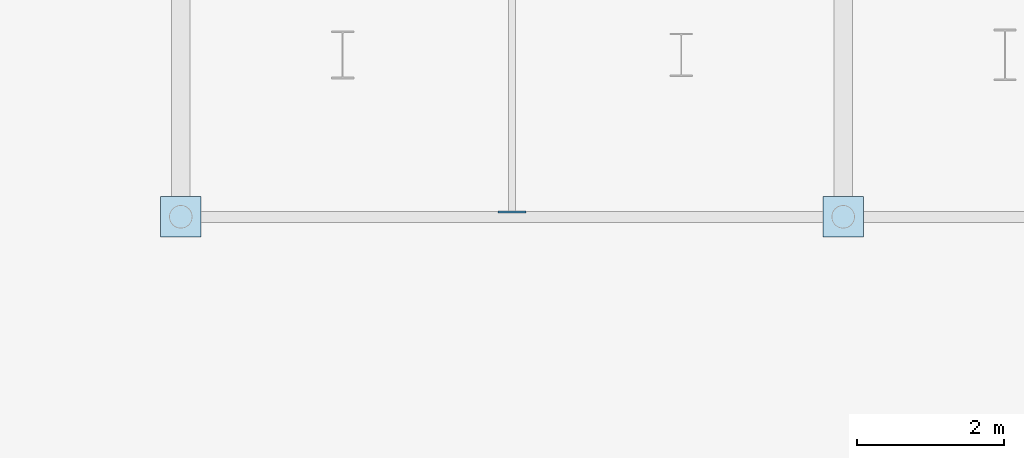
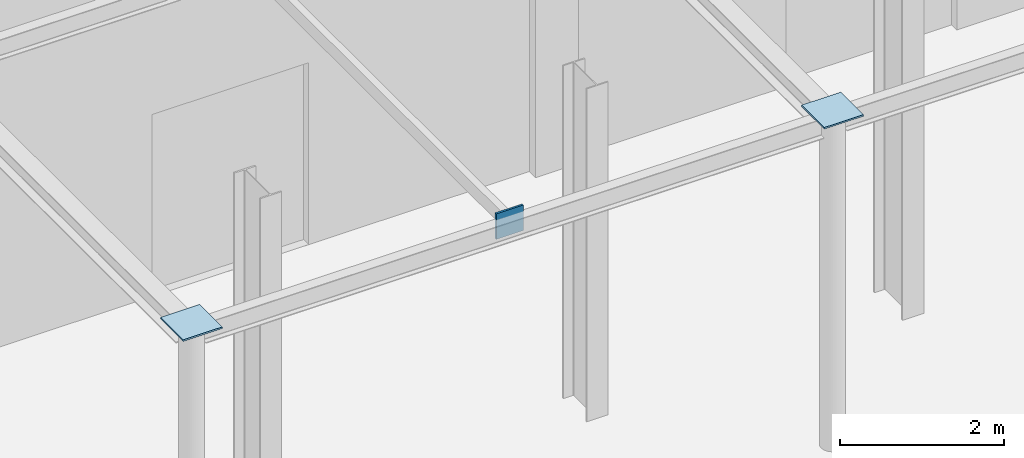
# One storey, part 71 of 123: 3 plates.
"""IFC4 building model written with IfcOpenShell, lengths in metres."""

from ifc_helpers import new_model, si_unit, direction, frame, origin, origin_2d, place, context, subcontext, project, spatial, rectangle, extrude, material, layer, layer_set, type_object, element, save


model = new_model("IFC4")

# Units and contexts
model_context = context("Model", 3, precision=1e-05, world=origin(), true_north=direction((0.0, 1.0)))
body_context = subcontext(model_context, "Body", "Model", "MODEL_VIEW")
ifc_project = project(units=[si_unit("LENGTHUNIT", "METRE"), si_unit("AREAUNIT", "SQUARE_METRE"), si_unit("VOLUMEUNIT", "CUBIC_METRE"), si_unit("PLANEANGLEUNIT", "RADIAN"), si_unit("MASSUNIT", "GRAM", prefix="KILO")], contexts=[model_context])

# Site, building, storey
site_placement = place(None, origin())
site = spatial("IfcSite", under=ifc_project, at=site_placement, CompositionType="ELEMENT")
building_placement = place(site_placement, origin())
building = spatial("IfcBuilding", under=site, at=building_placement, Name="Suzunagisa Mobility Hub", CompositionType="ELEMENT")
storey_placement = place(building_placement, origin())
storey = spatial("IfcBuildingStorey", under=building, at=storey_placement, Name="L00", CompositionType="ELEMENT", Elevation=0.0)

# Plates
ifc_material = material(Name="Steel SN490B", Category="steel")
ifc_layer_1 = layer(ifc_material, 0.02392578125)
ifc_layer_set_1 = layer_set([ifc_layer_1], Name="Steel SN490B")
plate_type_1 = type_object("IfcPlateType", Name="Structural Steel Plate SP-01 550x550x24", PredefinedType="USERDEFINED", material=ifc_layer_set_1)
for number, where, z_axis, x_axis, name in (
    (1, (54.0, 29.0, 4.93994140625), (0.0, 0.0, 1.0), (1.0, 0.0, 0.0), "L00 Column Cap Plate CP-125"),
    (2, (63.0, 29.0, 4.93994140625), (0.0, 0.0, 1.0), (1.0, 0.0, 0.0), "L00 Column Cap Plate CP-134"),
):
    element("IfcPlate", number, at=place(storey_placement, frame(where, z_axis=z_axis, x_axis=x_axis)), inside=storey, type_object=plate_type_1, Name=name, ObjectType="BASE PLATE", PredefinedType="USERDEFINED", context=body_context, shape_type="SweptSolid", body=[
        extrude(rectangle(XDim=0.550048828125, YDim=0.550048828125, at=origin_2d()), origin(), (0.0, 0.0, 1.0), 0.02392578125),
    ])
ifc_layer_2 = layer(ifc_material, 0.028076171875)
ifc_layer_set_2 = layer_set([ifc_layer_2], Name="Steel SN490B")
plate_type_2 = type_object("IfcPlateType", Name="Structural Steel Plate SP-07 380x380x28", PredefinedType="USERDEFINED", material=ifc_layer_set_2)
plate_placement = place(storey_placement, frame((58.5, 29.06591796875, 4.650146484375), z_axis=(0.0, 0.0, 1.0), x_axis=(1.0, 0.0, 0.0)))
element("IfcPlate", 3, at=plate_placement, inside=storey, type_object=plate_type_2, Name="Canopy Frame End Gusset Plate CPG-1S", ObjectType="GUSSET PLATE", PredefinedType="USERDEFINED", context=body_context, shape_type="SweptSolid", body=[
    extrude(rectangle(XDim=0.3798828125, YDim=0.028076171875, at=origin_2d()), origin(), (0.0, 0.0, 1.0), 0.3798828125),
])

save(model, "model.ifc")
